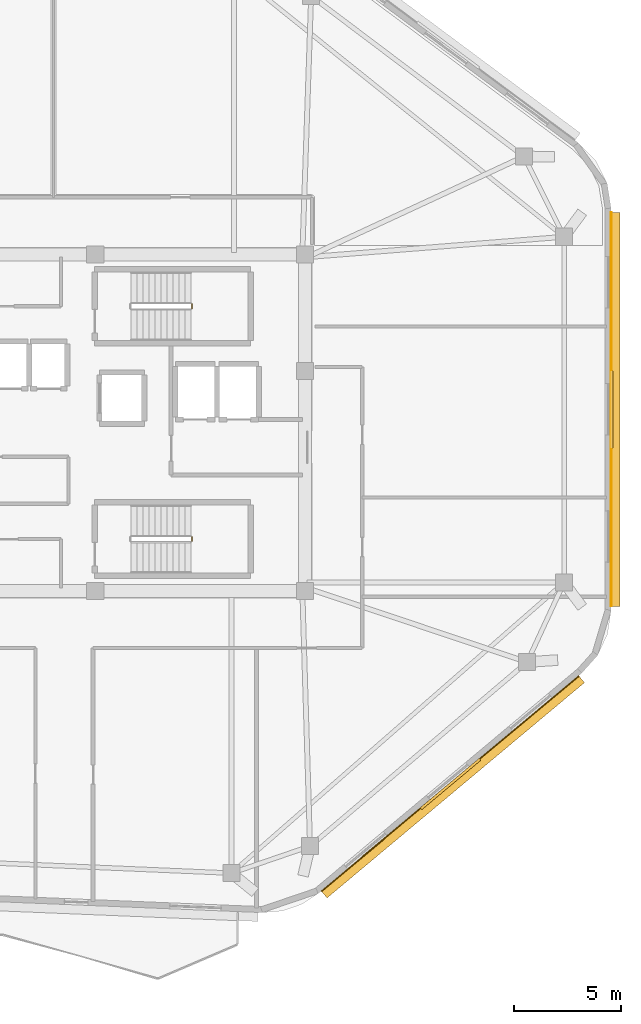
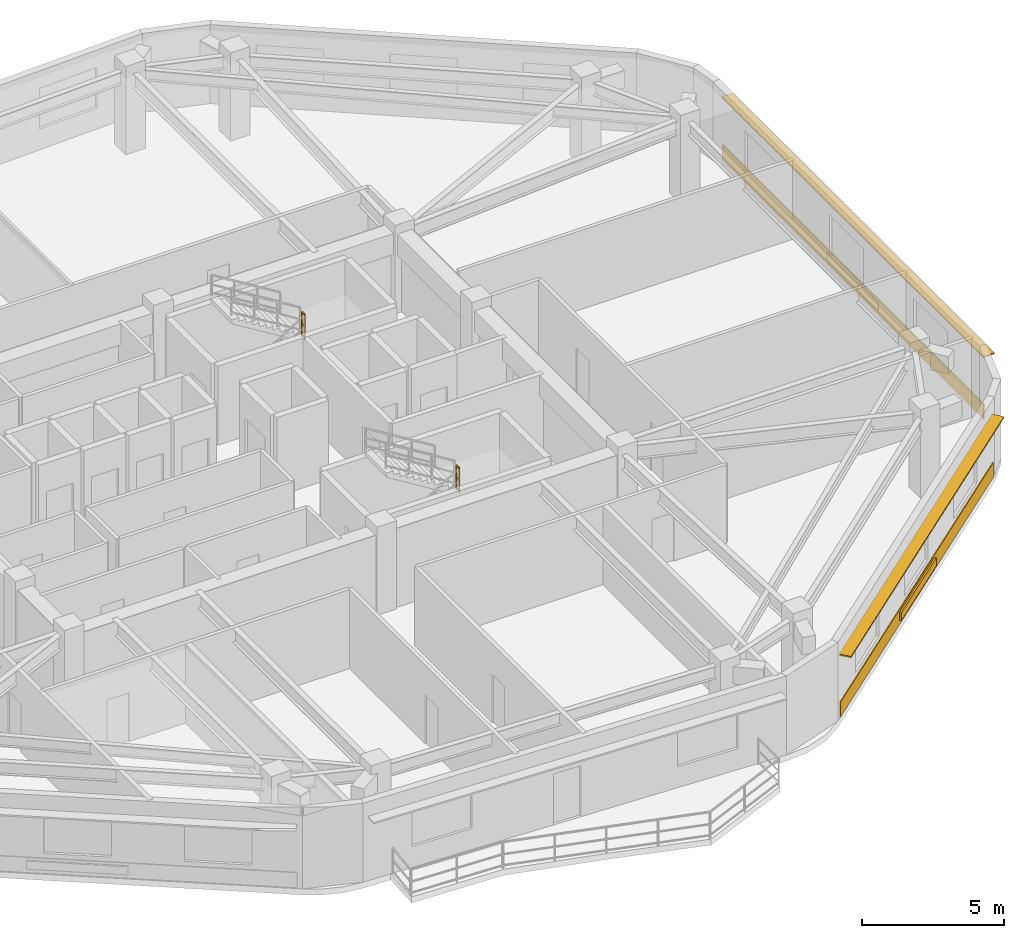
# One storey, part 8 of 9: 4 shading devices, 2 coverings, 2 railings.
"""IFC4 building model written with IfcOpenShell, lengths in metres."""

from ifc_helpers import new_model, si_unit, direction, frame, origin, origin_2d, place, context, subcontext, project, spatial, rectangle, extrude, material, layer, layer_set, type_object, element, save


model = new_model("IFC4")

# Units and contexts
model_context = context("Model", 3, precision=1e-05, world=origin(), true_north=direction((0.0, 1.0)))
body_context = subcontext(model_context, "Body", "Model", "MODEL_VIEW")
ifc_project = project(units=[si_unit("LENGTHUNIT", "METRE"), si_unit("AREAUNIT", "SQUARE_METRE"), si_unit("VOLUMEUNIT", "CUBIC_METRE"), si_unit("PLANEANGLEUNIT", "RADIAN"), si_unit("MASSUNIT", "GRAM", prefix="KILO")], contexts=[model_context])

# Site, building, storey
site_placement = place(None, origin())
site = spatial("IfcSite", under=ifc_project, at=site_placement, CompositionType="ELEMENT")
building_placement = place(site_placement, origin())
building = spatial("IfcBuilding", under=site, at=building_placement, Name="Zulverin Broadcast Headquarters", CompositionType="ELEMENT")
storey_placement = place(building_placement, frame((0.0, 0.0, 304.800048828125)))
storey = spatial("IfcBuildingStorey", under=building, at=storey_placement, Name="L78", CompositionType="ELEMENT", Elevation=304.800048828125)

# Coverings
ifc_material_1 = material(Name="Brushed pale-aluminium rainscreen cladding", Category="aluminium")
ifc_layer_1 = layer(ifc_material_1, 0.0400390625, Name="Brushed pale-aluminium rainscreen cladding", Category="aluminium")
ifc_layer_set_1 = layer_set([ifc_layer_1], Name="Brushed pale-aluminium rainscreen cladding")
covering_type = type_object("IfcCoveringType", Name="COV-CLAD-PALE", PredefinedType="CLADDING", material=ifc_layer_set_1)
covering_1_placement = place(storey_placement, frame((55.064697265625, 8.303955078125, 0.054931640625), z_axis=(0.0, 0.0, 1.0), x_axis=(0.76703526936, 0.641604937292, 0.0)))
element("IfcCovering", 1, at=covering_1_placement, inside=storey, type_object=covering_type, Name="L78 Brushed Pale-Aluminium Spandrel Cladding 2", PredefinedType="CLADDING", context=body_context, shape_type="SweptSolid", body=[
    extrude(rectangle(XDim=15.71337890625, YDim=0.0400390625, at=origin_2d()), origin(), (0.0, 0.0, 1.0), 0.64990234375),
])
covering_2_placement = place(storey_placement, frame((62.610107421875, 25.82275390625, 0.054931640625), z_axis=(0.0, 0.0, 1.0), x_axis=(0.0, 1.0, 0.0)))
element("IfcCovering", 2, at=covering_2_placement, inside=storey, type_object=covering_type, Name="L78 Brushed Pale-Aluminium Spandrel Cladding 3", PredefinedType="CLADDING", context=body_context, shape_type="SweptSolid", body=[
    extrude(rectangle(XDim=18.45458984375, YDim=0.0400390625, at=origin_2d()), origin(), (0.0, 0.0, 1.0), 0.64990234375),
])

# Railings
ifc_material_2 = material(Name="Painted galvanized steel tubular guardrail S355JR", Category="steel")
railing_type = type_object("IfcRailingType", Name="RL-ST-GUARD", PredefinedType="GUARDRAIL", material=ifc_material_2)
railing_1_placement = place(storey_placement, frame((42.97998046875, 30.550048828125, 1.89990234375)))
element("IfcRailing", 3, at=railing_1_placement, inside=storey, type_object=railing_type, Name="L78 ST-1 stair guard 2", PredefinedType="GUARDRAIL", context=body_context, shape_type="SweptSolid", body=[
    extrude(rectangle(XDim=0.048095703125, YDim=0.048095703125, at=origin_2d()), frame((0.0, 0.0, 1.076171875), z_axis=(0.0, 1.0, 0.0), x_axis=(-1.0, 0.0, 0.0)), (0.0, 0.0, 1.0), 0.199951171875),
    extrude(rectangle(XDim=0.0419921875, YDim=0.0419921875, at=origin_2d()), frame((0.0, 0.0, 0.572021484375), z_axis=(0.0, 1.0, 0.0), x_axis=(-1.0, 0.0, 0.0)), (0.0, 0.0, 1.0), 0.199951171875),
    extrude(rectangle(XDim=0.0419921875, YDim=0.0419921875, at=origin_2d()), frame((0.0, 0.0, 0.1201171875), z_axis=(0.0, 1.0, 0.0), x_axis=(-1.0, 0.0, 0.0)), (0.0, 0.0, 1.0), 0.199951171875),
    extrude(rectangle(XDim=0.0419921875, YDim=0.0419921875, at=origin_2d()), origin(), (0.0, 0.0, 1.0), 1.052001953125),
    extrude(rectangle(XDim=0.0419921875, YDim=0.0419921875, at=origin_2d()), frame((0.0, 0.199951171875, 0.0)), (0.0, 0.0, 1.0), 1.052001953125),
])
railing_2_placement = place(storey_placement, frame((42.97998046875, 19.64990234375, 1.89990234375)))
element("IfcRailing", 4, at=railing_2_placement, inside=storey, type_object=railing_type, Name="L78 ST-2 stair guard 2", PredefinedType="GUARDRAIL", context=body_context, shape_type="SweptSolid", body=[
    extrude(rectangle(XDim=0.048095703125, YDim=0.048095703125, at=origin_2d()), frame((0.0, 0.0, 1.076171875), z_axis=(0.0, 1.0, 0.0), x_axis=(-1.0, 0.0, 0.0)), (0.0, 0.0, 1.0), 0.2001953125),
    extrude(rectangle(XDim=0.0419921875, YDim=0.0419921875, at=origin_2d()), frame((0.0, 0.0, 0.572021484375), z_axis=(0.0, 1.0, 0.0), x_axis=(-1.0, 0.0, 0.0)), (0.0, 0.0, 1.0), 0.2001953125),
    extrude(rectangle(XDim=0.0419921875, YDim=0.0419921875, at=origin_2d()), frame((0.0, 0.0, 0.1201171875), z_axis=(0.0, 1.0, 0.0), x_axis=(-1.0, 0.0, 0.0)), (0.0, 0.0, 1.0), 0.2001953125),
    extrude(rectangle(XDim=0.0419921875, YDim=0.0419921875, at=origin_2d()), origin(), (0.0, 0.0, 1.0), 1.052001953125),
    extrude(rectangle(XDim=0.0419921875, YDim=0.0419921875, at=origin_2d()), frame((0.0, 0.2001953125, 0.0)), (0.0, 0.0, 1.0), 1.052001953125),
])

# Shading devices
ifc_material_3 = material(Name="Anodized pale-metal aluminium acoustic louvre", Category="aluminium")
shading_device_type_1 = type_object("IfcShadingDeviceType", Name="SHD-LOUVRE-350", PredefinedType="USERDEFINED", material=ifc_material_3)
for number, where, z_axis, x_axis, name in (
    (5, (55.083984375, 8.281005859375, 0.244873046875), (0.0, 0.0, 1.0), (0.76703526936, 0.641604937292, 0.0), "L78 Spandrel Intake Louvre 2"),
    (6, (62.639892578125, 25.82275390625, 0.244873046875), (0.0, 0.0, 1.0), (0.0, 1.0, 0.0), "L78 Spandrel Intake Louvre 3"),
):
    element("IfcShadingDevice", number, at=place(storey_placement, frame(where, z_axis=z_axis, x_axis=x_axis)), inside=storey, type_object=shading_device_type_1, Name=name, ObjectType="LOUVRE", PredefinedType="USERDEFINED", context=body_context, shape_type="SweptSolid", body=[
        extrude(rectangle(XDim=3.60009765625, YDim=0.1201171875, at=origin_2d()), origin(), (0.0, 0.0, 1.0), 0.35009765625),
    ])
ifc_material_4 = material(Name="Anodized pale-metal aluminium sunshade", Category="aluminium")
ifc_layer_2 = layer(ifc_material_4, 0.06005859375, Name="Anodized pale-metal aluminium sunshade", Category="aluminium")
ifc_layer_set_2 = layer_set([ifc_layer_2], Name="Anodized pale-metal aluminium sunshade")
shading_device_type_2 = type_object("IfcShadingDeviceType", Name="SS-01_PALE_METAL_ALUMINIUM_SUNSHADE", PredefinedType="USERDEFINED", material=ifc_layer_set_2)
shading_device_1_placement = place(storey_placement, frame((55.186767578125, 8.158203125, 2.7099609375), z_axis=(0.0, 0.0, 1.0), x_axis=(0.76703526936, 0.641604937292, 0.0)))
element("IfcShadingDevice", 7, at=shading_device_1_placement, inside=storey, type_object=shading_device_type_2, Name="L78 Horizontal Pale-Metal Sunshade Band 2", ObjectType="SUNSHADE", PredefinedType="USERDEFINED", context=body_context, shape_type="SweptSolid", body=[
    extrude(rectangle(XDim=15.71337890625, YDim=0.449951171875, at=origin_2d()), origin(), (0.0, 0.0, 1.0), 0.06005859375),
])
shading_device_2_placement = place(storey_placement, frame((62.800048828125, 25.82275390625, 2.7099609375), z_axis=(0.0, 0.0, 1.0), x_axis=(0.0, 1.0, 0.0)))
element("IfcShadingDevice", 8, at=shading_device_2_placement, inside=storey, type_object=shading_device_type_2, Name="L78 Horizontal Pale-Metal Sunshade Band 3", ObjectType="SUNSHADE", PredefinedType="USERDEFINED", context=body_context, shape_type="SweptSolid", body=[
    extrude(rectangle(XDim=18.45458984375, YDim=0.449951171875, at=origin_2d()), origin(), (0.0, 0.0, 1.0), 0.06005859375),
])

save(model, "model.ifc")
